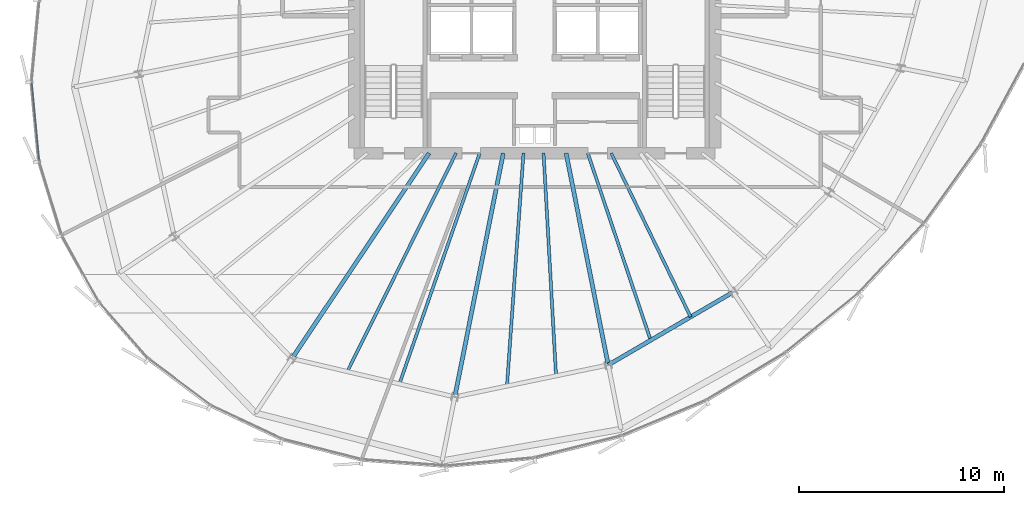
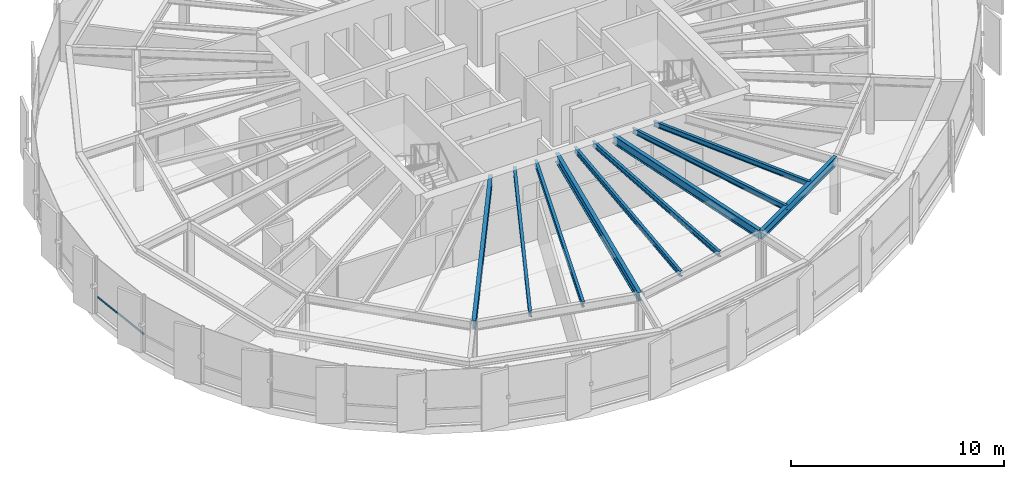
# One storey, part 8 of 36: 10 beams, 1 member, 1 element without a shape of its own.
"""IFC4 building model written with IfcOpenShell, lengths in metres."""

from ifc_helpers import new_model, si_unit, direction, frame, origin, origin_2d, place, context, subcontext, project, spatial, hollow_rectangle, i_section, extrude, source, transform, mapped, material, layer, layer_set, material_profile, profile_set, type_object, element, aggregate, save


model = new_model("IFC4")

# Units and contexts
model_context = context("Model", 3, precision=1e-05, world=origin(), true_north=direction((0.0, 1.0)))
body_context = subcontext(model_context, "Body", "Model", "MODEL_VIEW")
ifc_project = project(units=[si_unit("LENGTHUNIT", "METRE"), si_unit("AREAUNIT", "SQUARE_METRE"), si_unit("VOLUMEUNIT", "CUBIC_METRE"), si_unit("PLANEANGLEUNIT", "RADIAN"), si_unit("MASSUNIT", "GRAM", prefix="KILO"), si_unit("THERMODYNAMICTEMPERATUREUNIT", "KELVIN")], contexts=[model_context])

# Site, building, storey
site_placement = place(None, origin())
site = spatial("IfcSite", under=ifc_project, at=site_placement, CompositionType="ELEMENT")
building_placement = place(site_placement, origin())
building = spatial("IfcBuilding", under=site, at=building_placement, Name="Kethvar Cultural Tower", CompositionType="ELEMENT")
storey_placement = place(building_placement, frame((0.0, 0.0, 176.39990234375)))
storey = spatial("IfcBuildingStorey", under=building, at=storey_placement, Name="L45", CompositionType="ELEMENT", Elevation=176.39990234375)

# Beams
ifc_material_1 = material(Name="Steel S355J2", Category="steel")
ifc_material_profile_1 = material_profile(ifc_material_1, i_section(OverallWidth=0.199951171875, OverallDepth=0.5, WebThickness=0.01025390625, FlangeThickness=0.01611328125, FilletRadius=0.02099609375, at=origin_2d()), Name="Steel S355J2 — IPE500")
ifc_profile_set_1 = profile_set([ifc_material_profile_1], Name="Steel S355J2 — IPE500")
beam_type_1 = type_object("IfcBeamType", Name="BM-IPE500", PredefinedType="BEAM", material=ifc_profile_set_1)
shared_shape_1 = source(origin(), body_context, "Body", "SweptSolid", [
    extrude(i_section(OverallWidth=0.199951171875, OverallDepth=0.5, WebThickness=0.01025390625, FlangeThickness=0.01611328125, FilletRadius=0.02099609375, at=origin_2d()), origin(), (0.0, 0.0, 1.0), 12.0458984375),
])
beam_1_placement = place(storey_placement, frame((41.655029296875, 20.10009765625, 3.008056640625), z_axis=(-0.555569831996, -0.831469880258, 0.0), x_axis=(0.831469880258, -0.555569831996, 0.0)))
element("IfcBeam", 1, at=beam_1_placement, inside=storey, type_object=beam_type_1, Name="L45 Primary Radial Beam RB-11", PredefinedType="BEAM", context=body_context, shape_type="MappedRepresentation", body=[
    mapped(shared_shape_1, transform((0.0, 0.0, 0.0), scale=1.0)),
])
shared_shape_2 = source(origin(), body_context, "Body", "SweptSolid", [
    extrude(i_section(OverallWidth=0.199951171875, OverallDepth=0.5, WebThickness=0.01025390625, FlangeThickness=0.01611328125, FilletRadius=0.02099609375, at=origin_2d()), origin(), (0.0, 0.0, 1.0), 12.1220703125),
])
beam_2_placement = place(storey_placement, frame((45.268310546875, 20.10009765625, 3.008056640625), z_axis=(-0.195078030057, -0.980787725346, 0.0), x_axis=(0.980787725346, -0.195078030057, 0.0)))
element("IfcBeam", 2, at=beam_2_placement, inside=storey, type_object=beam_type_1, Name="L45 Primary Radial Beam RB-12", PredefinedType="BEAM", context=body_context, shape_type="MappedRepresentation", body=[
    mapped(shared_shape_2, transform((0.0, 0.0, 0.0), scale=1.0)),
])
shared_shape_3 = source(origin(), body_context, "Body", "SweptSolid", [
    extrude(i_section(OverallWidth=0.199951171875, OverallDepth=0.5, WebThickness=0.01025390625, FlangeThickness=0.01611328125, FilletRadius=0.02099609375, at=origin_2d()), origin(), (0.0, 0.0, 1.0), 10.533935546875),
])
beam_3_placement = place(storey_placement, frame((48.33154296875, 20.10009765625, 3.008056640625), z_axis=(0.19509982917, -0.980783389265, 0.0), x_axis=(0.980783389265, 0.19509982917, 0.0)))
element("IfcBeam", 3, at=beam_3_placement, inside=storey, type_object=beam_type_1, Name="L45 Primary Radial Beam RB-13", PredefinedType="BEAM", context=body_context, shape_type="MappedRepresentation", body=[
    mapped(shared_shape_3, transform((0.0, 0.0, 0.0), scale=1.0)),
])
ifc_material_profile_2 = material_profile(ifc_material_1, i_section(OverallWidth=0.14990234375, OverallDepth=0.300048828125, WebThickness=0.007080078125, FlangeThickness=0.0107421875, FilletRadius=0.014892578125, at=origin_2d()), Name="Steel S355J2 — IPE300")
ifc_profile_set_2 = profile_set([ifc_material_profile_2], Name="Steel S355J2 — IPE300")
beam_type_2 = type_object("IfcBeamType", Name="BM-J300", PredefinedType="JOIST", material=ifc_profile_set_2)
shared_shape_4 = source(origin(), body_context, "Body", "SweptSolid", [
    extrude(i_section(OverallWidth=0.14990234375, OverallDepth=0.300048828125, WebThickness=0.007080078125, FlangeThickness=0.0107421875, FilletRadius=0.014892578125, at=origin_2d()), origin(), (0.0, 0.0, 1.0), 11.900146484375),
])
beam_4_placement = place(storey_placement, frame((42.96630859375, 20.10009765625, 3.108154296875), z_axis=(-0.445686564233, -0.89518907861, 0.0), x_axis=(0.89518907861, -0.445686564233, 0.0)))
element("IfcBeam", 4, at=beam_4_placement, inside=storey, type_object=beam_type_2, Name="L45 Composite Floor Joist J-11A", PredefinedType="JOIST", context=body_context, shape_type="MappedRepresentation", body=[
    mapped(shared_shape_4, transform((0.0, 0.0, 0.0), scale=1.0)),
])
shared_shape_5 = source(origin(), body_context, "Body", "SweptSolid", [
    extrude(i_section(OverallWidth=0.14990234375, OverallDepth=0.300048828125, WebThickness=0.007080078125, FlangeThickness=0.0107421875, FilletRadius=0.014892578125, at=origin_2d()), origin(), (0.0, 0.0, 1.0), 11.914306640625),
])
beam_5_placement = place(storey_placement, frame((44.1201171875, 20.10009765625, 3.108154296875), z_axis=(-0.328722490218, -0.944426558513, 0.0), x_axis=(0.944426558513, -0.328722490218, 0.0)))
element("IfcBeam", 5, at=beam_5_placement, inside=storey, type_object=beam_type_2, Name="L45 Composite Floor Joist J-11B", PredefinedType="JOIST", context=body_context, shape_type="MappedRepresentation", body=[
    mapped(shared_shape_5, transform((0.0, 0.0, 0.0), scale=1.0)),
])
shared_shape_6 = source(origin(), body_context, "Body", "SweptSolid", [
    extrude(i_section(OverallWidth=0.14990234375, OverallDepth=0.300048828125, WebThickness=0.007080078125, FlangeThickness=0.0107421875, FilletRadius=0.014892578125, at=origin_2d()), origin(), (0.0, 0.0, 1.0), 11.38818359375),
])
beam_6_placement = place(storey_placement, frame((46.253662109375, 20.10009765625, 3.108154296875), z_axis=(-0.070767133242, -0.99749286356, 0.0), x_axis=(0.99749286356, -0.070767133242, 0.0)))
element("IfcBeam", 6, at=beam_6_placement, inside=storey, type_object=beam_type_2, Name="L45 Composite Floor Joist J-12A", PredefinedType="JOIST", context=body_context, shape_type="MappedRepresentation", body=[
    mapped(shared_shape_6, transform((0.0, 0.0, 0.0), scale=1.0)),
])
shared_shape_7 = source(origin(), body_context, "Body", "SweptSolid", [
    extrude(i_section(OverallWidth=0.14990234375, OverallDepth=0.300048828125, WebThickness=0.007080078125, FlangeThickness=0.0107421875, FilletRadius=0.014892578125, at=origin_2d()), origin(), (0.0, 0.0, 1.0), 10.878173828125),
])
beam_7_placement = place(storey_placement, frame((47.232421875, 20.10009765625, 3.108154296875), z_axis=(0.056062922639, -0.998427237562, 0.0), x_axis=(0.998427237562, 0.056062922639, 0.0)))
element("IfcBeam", 7, at=beam_7_placement, inside=storey, type_object=beam_type_2, Name="L45 Composite Floor Joist J-12B", PredefinedType="JOIST", context=body_context, shape_type="MappedRepresentation", body=[
    mapped(shared_shape_7, transform((0.0, 0.0, 0.0), scale=1.0)),
])
shared_shape_8 = source(origin(), body_context, "Body", "SweptSolid", [
    extrude(i_section(OverallWidth=0.199951171875, OverallDepth=0.5, WebThickness=0.01025390625, FlangeThickness=0.01611328125, FilletRadius=0.02099609375, at=origin_2d()), origin(), (0.0, 0.0, 1.0), 7.048583984375),
])
beam_8_placement = place(storey_placement, frame((50.38671875, 9.7685546875, 3.008056640625), z_axis=(0.863718593305, 0.503974395757, 0.0), x_axis=(-0.503974395757, 0.863718593305, 0.0)))
element("IfcBeam", 8, at=beam_8_placement, inside=storey, type_object=beam_type_1, Name="L45 Column Ring Tie Beam CR-13", PredefinedType="BEAM", context=body_context, shape_type="MappedRepresentation", body=[
    mapped(shared_shape_8, transform((0.0, 0.0, 0.0), scale=1.0)),
])
shared_shape_9 = source(origin(), body_context, "Body", "SweptSolid", [
    extrude(i_section(OverallWidth=0.14990234375, OverallDepth=0.300048828125, WebThickness=0.007080078125, FlangeThickness=0.0107421875, FilletRadius=0.014892578125, at=origin_2d()), origin(), (0.0, 0.0, 1.0), 9.625732421875),
])
beam_9_placement = place(storey_placement, frame((49.388916015625, 20.10009765625, 3.108154296875), z_axis=(0.31869202774, -0.947858318239, 0.0), x_axis=(0.947858318239, 0.31869202774, 0.0)))
element("IfcBeam", 9, at=beam_9_placement, inside=storey, type_object=beam_type_2, Name="L45 Composite Floor Joist J-13A", PredefinedType="JOIST", context=body_context, shape_type="MappedRepresentation", body=[
    mapped(shared_shape_9, transform((0.0, 0.0, 0.0), scale=1.0)),
])
shared_shape_10 = source(origin(), body_context, "Body", "SweptSolid", [
    extrude(i_section(OverallWidth=0.14990234375, OverallDepth=0.300048828125, WebThickness=0.007080078125, FlangeThickness=0.0107421875, FilletRadius=0.014892578125, at=origin_2d()), origin(), (0.0, 0.0, 1.0), 8.8759765625),
])
beam_10_placement = place(storey_placement, frame((50.532958984375, 20.10009765625, 3.108154296875), z_axis=(0.436210743691, -0.899844534955, 0.0), x_axis=(0.899844534955, 0.436210743691, 0.0)))
element("IfcBeam", 10, at=beam_10_placement, inside=storey, type_object=beam_type_2, Name="L45 Composite Floor Joist J-13B", PredefinedType="JOIST", context=body_context, shape_type="MappedRepresentation", body=[
    mapped(shared_shape_10, transform((0.0, 0.0, 0.0), scale=1.0)),
])

# Curtain wall, member
ifc_material_2 = material(Name="Aluminium 6063-T6", Category="aluminium")
ifc_layer = layer(ifc_material_2, 0.179931640625, Name="Aluminium 6063-T6", Category="aluminium")
ifc_layer_set = layer_set([ifc_layer], Name="Aluminium 6063-T6 (180 mm)")
curtain_wall_type = type_object("IfcCurtainWallType", Name="CW-SYS-04-Z34", PredefinedType="NOTDEFINED", material=ifc_layer_set)
curtain_wall_placement = place(storey_placement, origin())
curtain_wall = element("IfcCurtainWall", 11, at=curtain_wall_placement, inside=storey, type_object=curtain_wall_type, Name="L45 Curtain Wall Run 03", PredefinedType="NOTDEFINED")
ifc_material_profile_3 = material_profile(ifc_material_2, hollow_rectangle(XDim=0.050048828125, YDim=0.10009765625, WallThickness=0.00390625, at=origin_2d()), Name="Aluminium 6063-T6 — RHS100x50x4")
ifc_profile_set_3 = profile_set([ifc_material_profile_3], Name="Aluminium 6063-T6 — RHS100x50x4")
member_type = type_object("IfcMemberType", Name="CW-SYS-04-Z34-TRN", PredefinedType="USERDEFINED", material=ifc_profile_set_3)
shared_shape_11 = source(origin(), body_context, "Body", "SweptSolid", [
    extrude(hollow_rectangle(XDim=0.050048828125, YDim=0.10009765625, WallThickness=0.00390625, at=origin_2d()), origin(), (0.0, 0.0, 1.0), 3.801513671875),
])
member_placement = place(storey_placement, frame((22.273193359375, 23.523681640625, 0.9501953125), z_axis=(0.095306119296, -0.995448011513, 0.0), x_axis=(0.995448011513, 0.095306119296, 0.0)))
member = element("IfcMember", 12, at=member_placement, type_object=member_type, Name="CW-L45-R03 Transom 4", ObjectType="TRANSOM", PredefinedType="USERDEFINED", context=body_context, shape_type="MappedRepresentation", body=[
    mapped(shared_shape_11, transform((0.0, 0.0, 0.0), scale=1.0)),
])
aggregate(curtain_wall, [member])

save(model, "model.ifc")
